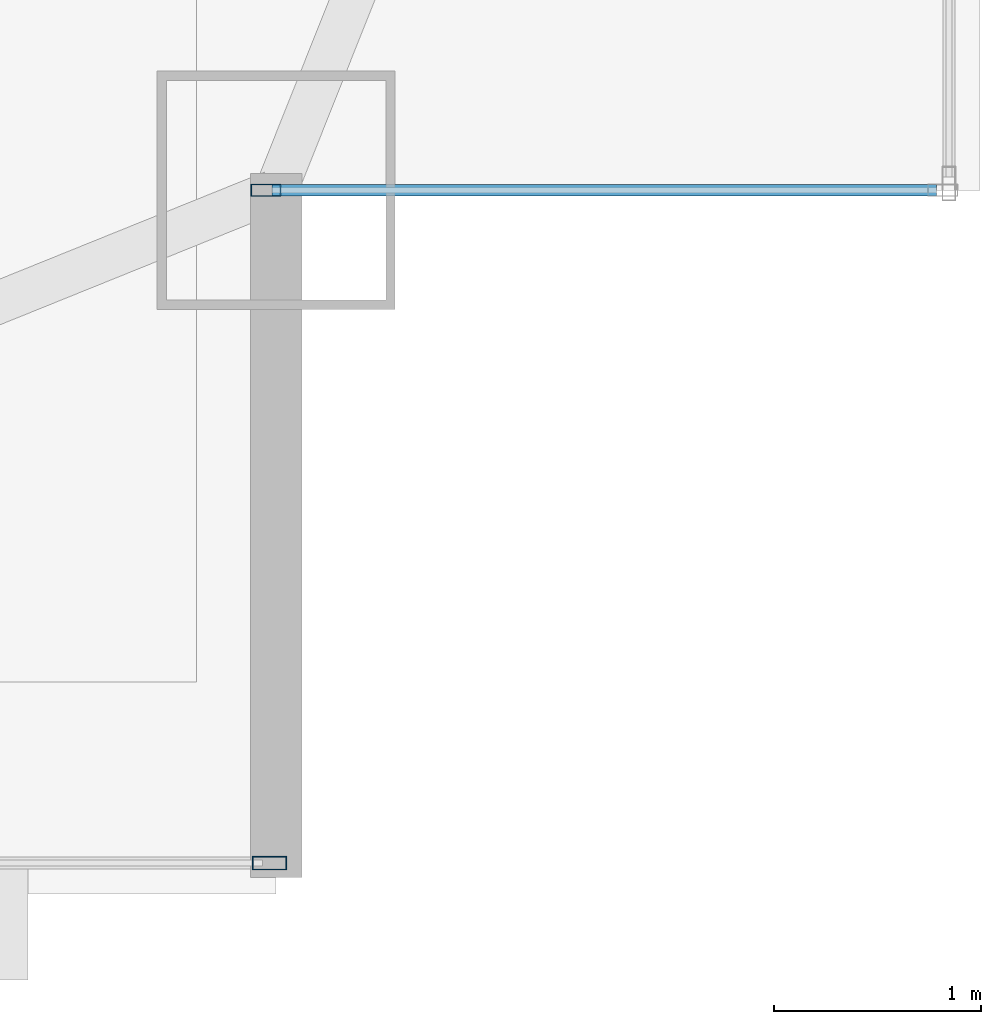
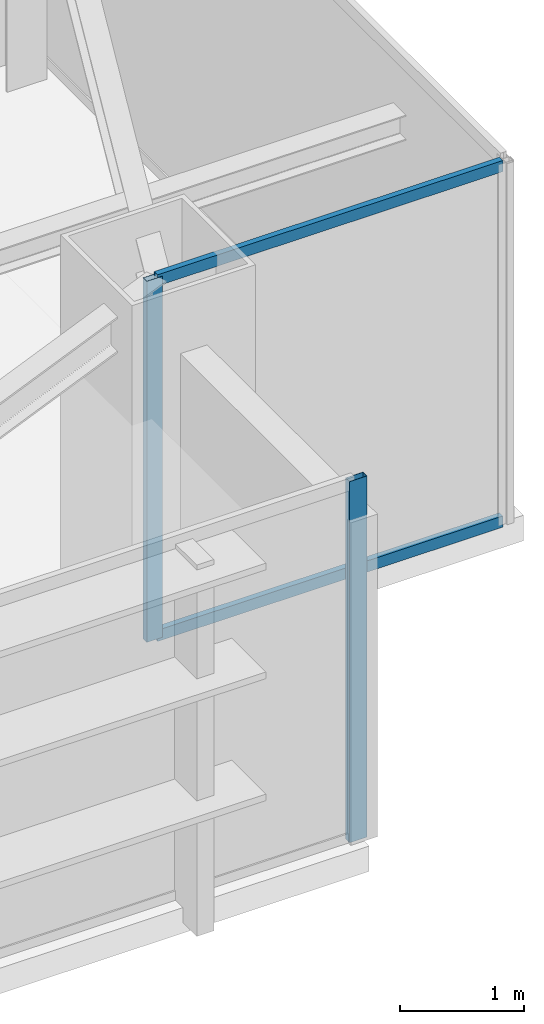
# One storey, part 11 of 25: 4 members, 2 elements without a shape of their own.
"""IFC4 building model written with IfcOpenShell, lengths in metres."""

from ifc_helpers import new_model, si_unit, direction, frame, origin, origin_2d, place, context, subcontext, project, spatial, hollow_rectangle, extrude, source, transform, mapped, material, layer, layer_set, material_profile, profile_set, type_object, type_shapes, element, aggregate, save


model = new_model("IFC4")

# Units and contexts
model_context = context("Model", 3, precision=1e-05, world=origin(), true_north=direction((0.0, 1.0)))
body_context = subcontext(model_context, "Body", "Model", "MODEL_VIEW")
ifc_project = project(units=[si_unit("LENGTHUNIT", "METRE"), si_unit("AREAUNIT", "SQUARE_METRE"), si_unit("VOLUMEUNIT", "CUBIC_METRE"), si_unit("PLANEANGLEUNIT", "RADIAN"), si_unit("MASSUNIT", "GRAM", prefix="KILO")], contexts=[model_context])

# Site, building, storey
site_placement = place(None, origin())
site = spatial("IfcSite", under=ifc_project, at=site_placement, CompositionType="ELEMENT")
building_placement = place(site_placement, origin())
building = spatial("IfcBuilding", under=site, at=building_placement, Name="Varnel Quay Broadcast Tower", CompositionType="ELEMENT")
storey_placement = place(building_placement, frame((0.0, 0.0, 250.800048828125)))
storey = spatial("IfcBuildingStorey", under=building, at=storey_placement, Name="L62", CompositionType="ELEMENT", Elevation=250.800048828125)

# Curtain wall, member
ifc_material = material(Name="Anodised Bronze Aluminium 6063-T6", Category="aluminium")
ifc_layer_1 = layer(ifc_material, 0.18994140625, Name="Anodised Bronze Aluminium 6063-T6")
ifc_layer_set_1 = layer_set([ifc_layer_1], Name="Anodised Bronze Aluminium 6063-T6")
curtain_wall_type_1 = type_object("IfcCurtainWallType", Name="CW_NotchCorner", PredefinedType="NOTDEFINED", material=ifc_layer_set_1)
curtain_wall_1_placement = place(storey_placement, origin())
curtain_wall_1 = element("IfcCurtainWall", 1, at=curtain_wall_1_placement, inside=storey, type_object=curtain_wall_type_1, Name="L62 SE Notch Curtain Wall", PredefinedType="NOTDEFINED")
ifc_material_profile_1 = material_profile(ifc_material, hollow_rectangle(XDim=0.06005859375, YDim=0.14501953125, WallThickness=0.00341796875, at=origin_2d()), Name="ALU60X145X3.5")
ifc_profile_set_1 = profile_set([ifc_material_profile_1], Name="Anodised Bronze Aluminium 6063-T6")
member_type_1 = type_object("IfcMemberType", Name="Mull_CWS-04", PredefinedType="MULLION", material=ifc_profile_set_1)
shared_shape_1 = source(origin(), body_context, "Body", "SweptSolid", [
    extrude(hollow_rectangle(XDim=0.06005859375, YDim=0.14501953125, WallThickness=0.00341796875, at=origin_2d()), origin(), (0.0, 0.0, 1.0), 3.550048828125),
])
type_shapes(member_type_1, [shared_shape_1])
member_1_placement = place(storey_placement, frame((55.050048828125, 13.60009765625, 0.0), z_axis=(0.0, 0.0, 1.0), x_axis=(0.0, 1.0, 0.0)))
member_1 = element("IfcMember", 2, at=member_1_placement, type_object=member_type_1, Name="CWS-04 mullion 1", PredefinedType="MULLION", context=body_context, shape_type="MappedRepresentation", body=[
    mapped(shared_shape_1, transform((0.0, 0.0, 0.0), x_axis=(1.0, 0.0, 0.0), y_axis=(0.0, 1.0, 0.0), z_axis=(0.0, 0.0, 1.0), scale=1.0)),
])

ifc_layer_2 = layer(ifc_material, 0.18994140625, Name="Anodised Bronze Aluminium 6063-T6")
ifc_layer_set_2 = layer_set([ifc_layer_2], Name="Anodised Bronze Aluminium 6063-T6")
curtain_wall_type_2 = type_object("IfcCurtainWallType", Name="CW_UpperTower", PredefinedType="NOTDEFINED", material=ifc_layer_set_2)
curtain_wall_2_placement = place(storey_placement, origin())
curtain_wall_2 = element("IfcCurtainWall", 3, at=curtain_wall_2_placement, inside=storey, type_object=curtain_wall_type_2, Name="L62 South Unitised Curtain Wall 1", PredefinedType="NOTDEFINED")
ifc_material_profile_2 = material_profile(ifc_material, hollow_rectangle(XDim=0.06494140625, YDim=0.1650390625, WallThickness=0.00341796875, at=origin_2d()), Name="ALU65X165X3.5")
ifc_profile_set_2 = profile_set([ifc_material_profile_2], Name="Anodised Bronze Aluminium 6063-T6")
member_type_2 = type_object("IfcMemberType", Name="Mull_CWS-03", PredefinedType="MULLION", material=ifc_profile_set_2)
shared_shape_2 = source(origin(), body_context, "Body", "SweptSolid", [
    extrude(hollow_rectangle(XDim=0.06494140625, YDim=0.1650390625, WallThickness=0.00341796875, at=origin_2d()), origin(), (0.0, 0.0, 1.0), 3.550048828125),
])
type_shapes(member_type_2, [shared_shape_2])
member_2_placement = place(storey_placement, frame((55.0673828125, 10.35009765625, 0.0), z_axis=(0.0, 0.0, 1.0), x_axis=(0.0, 1.0, 0.0)))
member_2 = element("IfcMember", 4, at=member_2_placement, type_object=member_type_2, Name="CWS-03 mullion 4", PredefinedType="MULLION", context=body_context, shape_type="MappedRepresentation", body=[
    mapped(shared_shape_2, transform((0.0, 0.0, 0.0), x_axis=(1.0, 0.0, 0.0), y_axis=(0.0, 1.0, 0.0), z_axis=(0.0, 0.0, 1.0), scale=1.0)),
])
aggregate(curtain_wall_2, [member_2])

# Member
ifc_material_profile_3 = material_profile(ifc_material, hollow_rectangle(XDim=0.054931640625, YDim=0.110107421875, WallThickness=0.0029296875, at=origin_2d()), Name="ALU55X110X3")
ifc_profile_set_3 = profile_set([ifc_material_profile_3], Name="Anodised Bronze Aluminium 6063-T6")
member_type_3 = type_object("IfcMemberType", Name="Tran_CWS-04", PredefinedType="USERDEFINED", material=ifc_profile_set_3)
shared_shape_3 = source(origin(), body_context, "Body", "SweptSolid", [
    extrude(hollow_rectangle(XDim=0.054931640625, YDim=0.110107421875, WallThickness=0.0029296875, at=origin_2d()), origin(), (0.0, 0.0, 1.0), 3.2099609375),
])
type_shapes(member_type_3, [shared_shape_3])
member_3_placement = place(storey_placement, frame((55.080078125, 13.60009765625, 0.02734375), z_axis=(1.0, 0.0, 0.0), x_axis=(0.0, 1.0, 0.0)))
member_3 = element("IfcMember", 5, at=member_3_placement, type_object=member_type_3, Name="CWS-04 transom 1.1", ObjectType="TRANSOM", PredefinedType="USERDEFINED", context=body_context, shape_type="MappedRepresentation", body=[
    mapped(shared_shape_3, transform((0.0, 0.0, 0.0), x_axis=(1.0, 0.0, 0.0), y_axis=(0.0, 1.0, 0.0), z_axis=(0.0, 0.0, 1.0), scale=1.0)),
])

member_4_placement = place(storey_placement, frame((55.080078125, 13.60009765625, 3.5224609375), z_axis=(1.0, 0.0, 0.0), x_axis=(0.0, 1.0, 0.0)))
member_4 = element("IfcMember", 6, at=member_4_placement, type_object=member_type_3, Name="CWS-04 transom 1.2", ObjectType="TRANSOM", PredefinedType="USERDEFINED", context=body_context, shape_type="MappedRepresentation", body=[
    mapped(shared_shape_3, transform((0.0, 0.0, 0.0), x_axis=(1.0, 0.0, 0.0), y_axis=(0.0, 1.0, 0.0), z_axis=(0.0, 0.0, 1.0), scale=1.0)),
])

aggregate(curtain_wall_1, [member_1, member_3, member_4])

save(model, "model.ifc")
